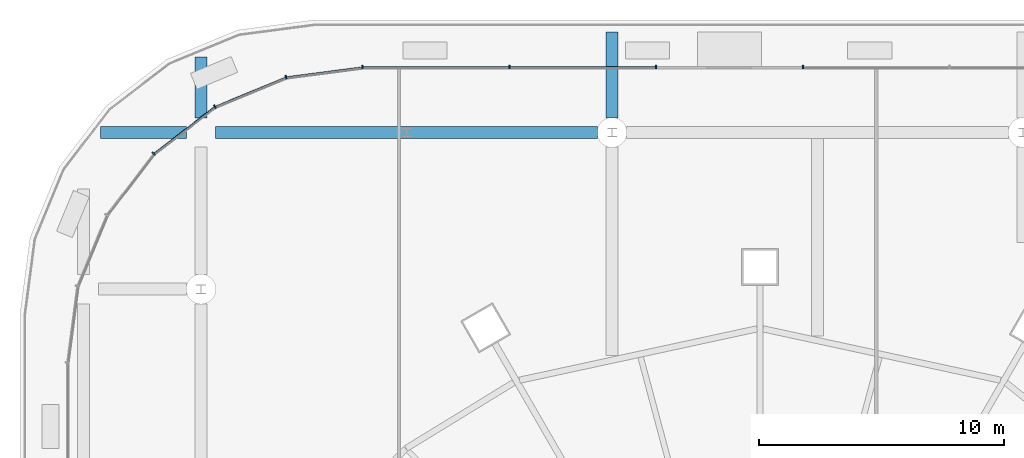
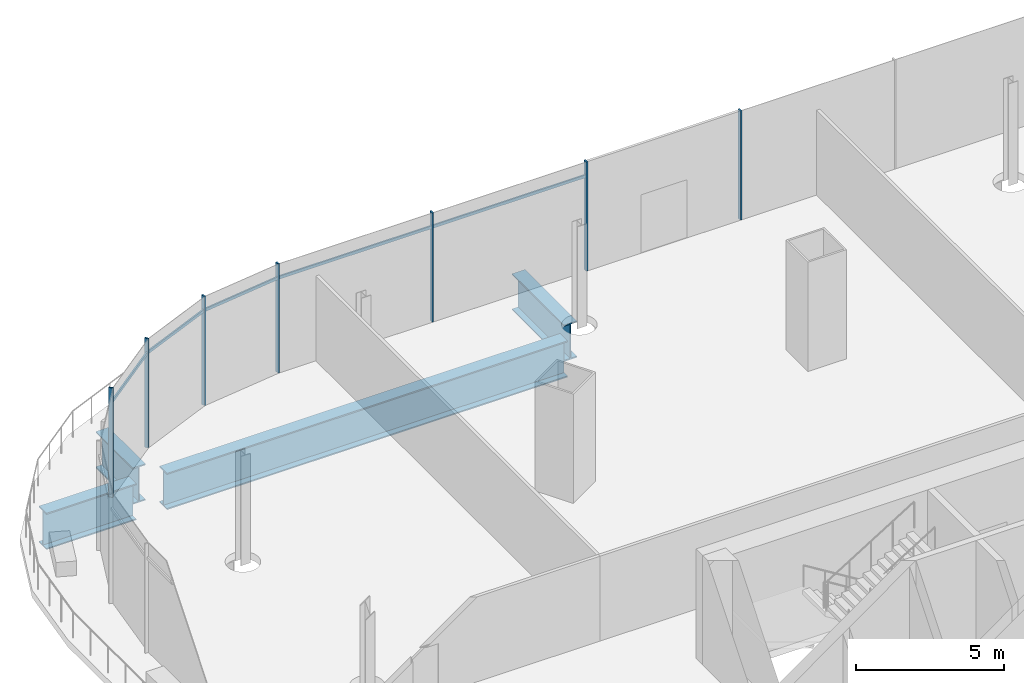
# One storey, part 30 of 56: 12 members, 4 beams, 1 element without a shape of its own.
"""IFC4 building model written with IfcOpenShell, lengths in metres."""

from ifc_helpers import new_model, si_unit, direction, frame, origin, origin_2d, place, context, subcontext, project, spatial, rectangle, i_section, extrude, material, material_profile, profile_set, type_object, element, aggregate, save


model = new_model("IFC4")

# Units and contexts
model_context = context("Model", 3, precision=1e-05, world=origin(), true_north=direction((0.0, 1.0)))
body_context = subcontext(model_context, "Body", "Model", "MODEL_VIEW")
ifc_project = project(units=[si_unit("LENGTHUNIT", "METRE"), si_unit("AREAUNIT", "SQUARE_METRE"), si_unit("VOLUMEUNIT", "CUBIC_METRE"), si_unit("PLANEANGLEUNIT", "RADIAN"), si_unit("MASSUNIT", "GRAM", prefix="KILO")], contexts=[model_context])

# Site, building, storey
site_placement = place(None, origin())
site = spatial("IfcSite", under=ifc_project, at=site_placement, CompositionType="ELEMENT")
building_placement = place(site_placement, origin())
building = spatial("IfcBuilding", under=site, at=building_placement, Name="Rimbun Link Towers", CompositionType="ELEMENT")
storey_placement = place(building_placement, frame((0.0, 0.0, 16.5)))
storey = spatial("IfcBuildingStorey", under=building, at=storey_placement, Name="L03", CompositionType="ELEMENT", Elevation=16.5)

# Curtain wall, members
ifc_material_1 = material(Name="Aluminium 6063-T6 and low-iron glass", Category="aluminium")
curtain_wall_type = type_object("IfcCurtainWallType", Name="CW3 podium shopfront", PredefinedType="NOTDEFINED", material=ifc_material_1)
curtain_wall_placement = place(storey_placement, origin())
curtain_wall = element("IfcCurtainWall", 1, at=curtain_wall_placement, inside=storey, type_object=curtain_wall_type, Name="CW3 L03 PD", PredefinedType="NOTDEFINED")
ifc_material_2 = material(Name="Aluminium 6063-T6", Category="aluminium")
ifc_material_profile_1 = material_profile(ifc_material_2, rectangle(XDim=0.14990234375, YDim=0.06005859375, at=origin_2d()), Name="MULLION 60X150")
ifc_profile_set_1 = profile_set([ifc_material_profile_1], Name="Aluminium 6063-T6")
member_type_1 = type_object("IfcMemberType", Name="CW3 mullion 60X150", PredefinedType="MULLION", material=ifc_profile_set_1)
member_1_placement = place(storey_placement, frame((-30.0, 30.074951171875, 0.0), z_axis=(0.0, 0.0, 1.0), x_axis=(0.0, 1.0, 0.0)))
member_1 = element("IfcMember", 2, at=member_1_placement, type_object=member_type_1, Name="CW3 mullion", PredefinedType="MULLION", context=body_context, shape_type="SweptSolid", body=[
    extrude(rectangle(XDim=0.14990234375, YDim=0.06005859375, at=origin_2d()), origin(), (0.0, 0.0, 1.0), 4.5),
])
member_2_placement = place(storey_placement, frame((-36.0, 30.074951171875, 0.0), z_axis=(0.0, 0.0, 1.0), x_axis=(0.0, 1.0, 0.0)))
member_2 = element("IfcMember", 3, at=member_2_placement, type_object=member_type_1, Name="CW3 mullion", PredefinedType="MULLION", context=body_context, shape_type="SweptSolid", body=[
    extrude(rectangle(XDim=0.14990234375, YDim=0.06005859375, at=origin_2d()), origin(), (0.0, 0.0, 1.0), 4.5),
])
member_3_placement = place(storey_placement, frame((-42.0, 30.074951171875, 0.0), z_axis=(0.0, 0.0, 1.0), x_axis=(0.0, 1.0, 0.0)))
member_3 = element("IfcMember", 4, at=member_3_placement, type_object=member_type_1, Name="CW3 mullion", PredefinedType="MULLION", context=body_context, shape_type="SweptSolid", body=[
    extrude(rectangle(XDim=0.14990234375, YDim=0.06005859375, at=origin_2d()), origin(), (0.0, 0.0, 1.0), 4.5),
])
member_4_placement = place(storey_placement, frame((-48.0048828125, 30.074951171875, 0.0), z_axis=(0.0, 0.0, 1.0), x_axis=(-0.065405288299, 0.997858781723, 0.0)))
member_4 = element("IfcMember", 5, at=member_4_placement, type_object=member_type_1, Name="CW3 mullion", PredefinedType="MULLION", context=body_context, shape_type="SweptSolid", body=[
    extrude(rectangle(XDim=0.14990234375, YDim=0.06005859375, at=origin_2d()), origin(), (0.0, 0.0, 1.0), 4.5),
])
member_5_placement = place(storey_placement, frame((-51.125244140625, 29.66357421875, 0.0), z_axis=(0.0, 0.0, 1.0), x_axis=(-0.258818729038, 0.965925910978, 0.0)))
member_5 = element("IfcMember", 6, at=member_5_placement, type_object=member_type_1, Name="CW3 mullion", PredefinedType="MULLION", context=body_context, shape_type="SweptSolid", body=[
    extrude(rectangle(XDim=0.14990234375, YDim=0.06005859375, at=origin_2d()), origin(), (0.0, 0.0, 1.0), 4.5),
])
member_6_placement = place(storey_placement, frame((-54.03759765625, 28.457275390625, 0.0), z_axis=(0.0, 0.0, 1.0), x_axis=(-0.499993701568, 0.866029040155, 0.0)))
member_6 = element("IfcMember", 7, at=member_6_placement, type_object=member_type_1, Name="CW3 mullion", PredefinedType="MULLION", context=body_context, shape_type="SweptSolid", body=[
    extrude(rectangle(XDim=0.14990234375, YDim=0.06005859375, at=origin_2d()), origin(), (0.0, 0.0, 1.0), 4.5),
])
member_7_placement = place(storey_placement, frame((-56.538330078125, 26.538330078125, 0.0), z_axis=(0.0, 0.0, 1.0), x_axis=(-0.707106781187, 0.707106781187, 0.0)))
member_7 = element("IfcMember", 8, at=member_7_placement, type_object=member_type_1, Name="CW3 mullion", PredefinedType="MULLION", context=body_context, shape_type="SweptSolid", body=[
    extrude(rectangle(XDim=0.14990234375, YDim=0.06005859375, at=origin_2d()), origin(), (0.0, 0.0, 1.0), 4.5),
])
ifc_material_3 = material(Name="Aluminium 6063-T6", Category="aluminium")
ifc_material_profile_2 = material_profile(ifc_material_3, rectangle(XDim=0.06005859375, YDim=0.1201171875, at=origin_2d()), Name="TRANSOM 60X120")
ifc_profile_set_2 = profile_set([ifc_material_profile_2], Name="Aluminium 6063-T6")
member_type_2 = type_object("IfcMemberType", Name="CW3 transom 60X120", PredefinedType="USERDEFINED", material=ifc_profile_set_2)
member_8_placement = place(storey_placement, frame((-41.969970703125, 30.053955078125, 3.89990234375), z_axis=(1.0, 0.0, 0.0), x_axis=(0.0, 1.0, 0.0)))
member_8 = element("IfcMember", 9, at=member_8_placement, type_object=member_type_2, Name="CW3 transom", ObjectType="TRANSOM", PredefinedType="USERDEFINED", context=body_context, shape_type="SweptSolid", body=[
    extrude(rectangle(XDim=0.06005859375, YDim=0.1201171875, at=origin_2d()), origin(), (0.0, 0.0, 1.0), 5.93994140625),
])
member_9_placement = place(storey_placement, frame((-47.969970703125, 30.053955078125, 3.89990234375), z_axis=(1.0, 0.0, 0.0), x_axis=(0.0, 1.0, 0.0)))
member_9 = element("IfcMember", 10, at=member_9_placement, type_object=member_type_2, Name="CW3 transom", ObjectType="TRANSOM", PredefinedType="USERDEFINED", context=body_context, shape_type="SweptSolid", body=[
    extrude(rectangle(XDim=0.06005859375, YDim=0.1201171875, at=origin_2d()), origin(), (0.0, 0.0, 1.0), 5.93994140625),
])
member_10_placement = place(storey_placement, frame((-51.0830078125, 29.6484375, 3.89990234375), z_axis=(0.991441037829, 0.130555231638, 0.0), x_axis=(-0.130555231638, 0.991441037829, 0.0)))
member_10 = element("IfcMember", 11, at=member_10_placement, type_object=member_type_2, Name="CW3 transom", ObjectType="TRANSOM", PredefinedType="USERDEFINED", context=body_context, shape_type="SweptSolid", body=[
    extrude(rectangle(XDim=0.06005859375, YDim=0.1201171875, at=origin_2d()), origin(), (0.0, 0.0, 1.0), 3.072509765625),
])
member_11_placement = place(storey_placement, frame((-53.992919921875, 28.45361328125, 3.89990234375), z_axis=(0.923881248716, 0.382679289053, 0.0), x_axis=(-0.382679289053, 0.923881248716, 0.0)))
member_11 = element("IfcMember", 12, at=member_11_placement, type_object=member_type_2, Name="CW3 transom", ObjectType="TRANSOM", PredefinedType="USERDEFINED", context=body_context, shape_type="SweptSolid", body=[
    extrude(rectangle(XDim=0.06005859375, YDim=0.1201171875, at=origin_2d()), origin(), (0.0, 0.0, 1.0), 3.072509765625),
])
member_12_placement = place(storey_placement, frame((-56.494384765625, 26.54638671875, 3.89990234375), z_axis=(0.793344129687, 0.608773432314, 0.0), x_axis=(-0.608773432314, 0.793344129687, 0.0)))
member_12 = element("IfcMember", 13, at=member_12_placement, type_object=member_type_2, Name="CW3 transom", ObjectType="TRANSOM", PredefinedType="USERDEFINED", context=body_context, shape_type="SweptSolid", body=[
    extrude(rectangle(XDim=0.06005859375, YDim=0.1201171875, at=origin_2d()), origin(), (0.0, 0.0, 1.0), 3.07275390625),
])
aggregate(curtain_wall, [member_1, member_2, member_3, member_4, member_5, member_6, member_7, member_8, member_9, member_10, member_11, member_12])

# Beams
ifc_material_4 = material(Name="Steel S355J2", Category="steel")
ifc_material_profile_3 = material_profile(ifc_material_4, i_section(OverallWidth=0.5, OverallDepth=1.5, WebThickness=0.030029296875, FlangeThickness=0.050048828125, at=origin_2d()), Name="PG 1500x500x30/50")
ifc_profile_set_3 = profile_set([ifc_material_profile_3], Name="Steel S355J2")
beam_type = type_object("IfcBeamType", Name="PG 1500x500x30/50", PredefinedType="BEAM", material=ifc_profile_set_3)
beam_1_placement = place(storey_placement, frame((-58.699951171875, 27.39990234375, -1.050048828125), z_axis=(1.0, 0.0, 0.0), x_axis=(0.0, 1.0, 0.0)))
element("IfcBeam", 14, at=beam_1_placement, inside=storey, type_object=beam_type, Name="Grid beam L03 +27.4", PredefinedType="BEAM", context=body_context, shape_type="SweptSolid", body=[
    extrude(i_section(OverallWidth=0.5, OverallDepth=1.5, WebThickness=0.030029296875, FlangeThickness=0.050048828125, at=origin_2d()), origin(), (0.0, 0.0, 1.0), 3.5),
])
beam_2_placement = place(storey_placement, frame((-54.0, 27.39990234375, -1.050048828125), z_axis=(1.0, 0.0, 0.0), x_axis=(0.0, 1.0, 0.0)))
element("IfcBeam", 15, at=beam_2_placement, inside=storey, type_object=beam_type, Name="Grid beam L03 +27.4", PredefinedType="BEAM", context=body_context, shape_type="SweptSolid", body=[
    extrude(i_section(OverallWidth=0.5, OverallDepth=1.5, WebThickness=0.030029296875, FlangeThickness=0.050048828125, at=origin_2d()), origin(), (0.0, 0.0, 1.0), 15.60009765625),
])
beam_3_placement = place(storey_placement, frame((-54.60009765625, 28.0, -1.050048828125), z_axis=(0.0, 1.0, 0.0), x_axis=(-1.0, 0.0, 0.0)))
element("IfcBeam", 16, at=beam_3_placement, inside=storey, type_object=beam_type, Name="Grid beam L03 -54.6", PredefinedType="BEAM", context=body_context, shape_type="SweptSolid", body=[
    extrude(i_section(OverallWidth=0.5, OverallDepth=1.5, WebThickness=0.030029296875, FlangeThickness=0.050048828125, at=origin_2d()), origin(), (0.0, 0.0, 1.0), 2.489013671875),
])
beam_4_placement = place(storey_placement, frame((-37.800048828125, 28.0, -1.050048828125), z_axis=(0.0, 1.0, 0.0), x_axis=(-1.0, 0.0, 0.0)))
element("IfcBeam", 17, at=beam_4_placement, inside=storey, type_object=beam_type, Name="Grid beam L03 -37.8", PredefinedType="BEAM", context=body_context, shape_type="SweptSolid", body=[
    extrude(i_section(OverallWidth=0.5, OverallDepth=1.5, WebThickness=0.030029296875, FlangeThickness=0.050048828125, at=origin_2d()), origin(), (0.0, 0.0, 1.0), 3.5),
])

save(model, "model.ifc")
